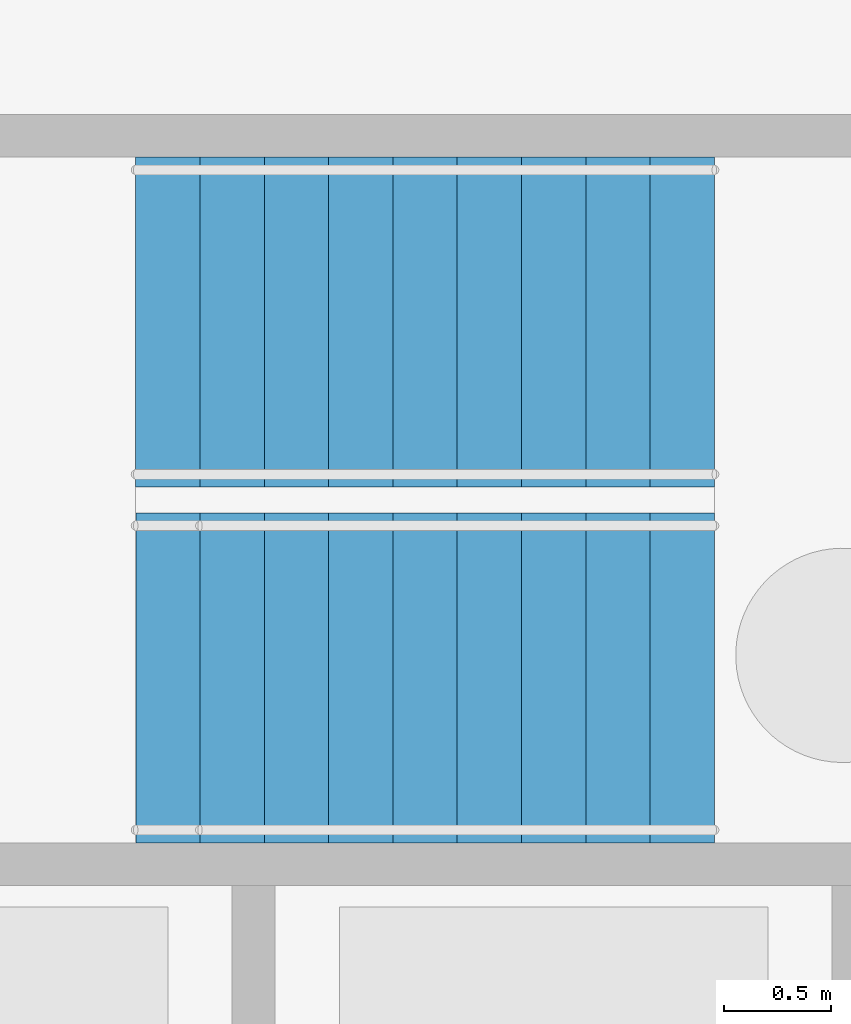
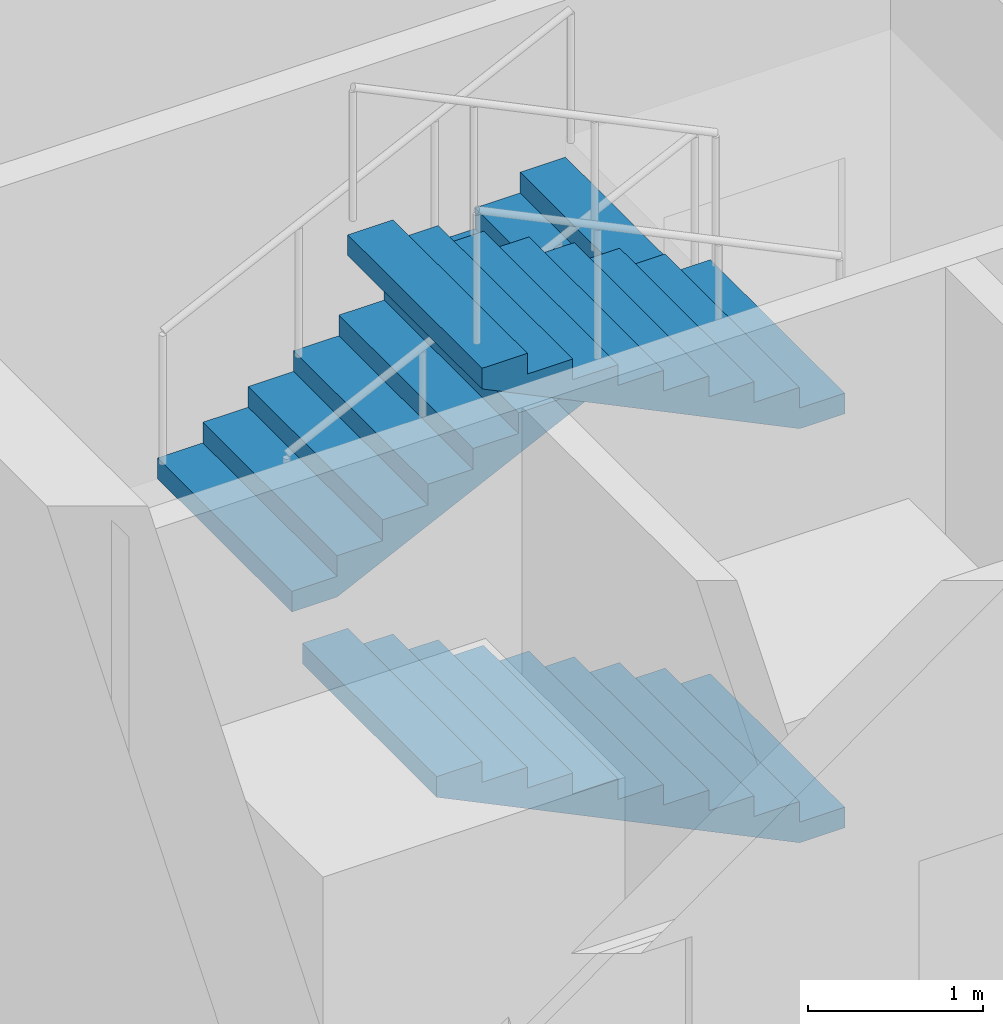
# One storey, part 20 of 29: 3 stair flights, 1 element without a shape of its own.
"""IFC4 building model written with IfcOpenShell, lengths in metres."""

from ifc_helpers import new_model, si_unit, direction, frame, origin, place, context, subcontext, project, spatial, polyline, outline, extrude, material, type_object, element, aggregate, save


model = new_model("IFC4")

# Units and contexts
model_context = context("Model", 3, precision=1e-05, world=origin(), true_north=direction((0.0, 1.0)))
body_context = subcontext(model_context, "Body", "Model", "MODEL_VIEW")
ifc_project = project(units=[si_unit("LENGTHUNIT", "METRE"), si_unit("AREAUNIT", "SQUARE_METRE"), si_unit("VOLUMEUNIT", "CUBIC_METRE"), si_unit("PLANEANGLEUNIT", "RADIAN"), si_unit("MASSUNIT", "GRAM", prefix="KILO")], contexts=[model_context])

# Site, building, storey
site_placement = place(None, origin())
site = spatial("IfcSite", under=ifc_project, at=site_placement, CompositionType="ELEMENT")
building_placement = place(site_placement, origin())
building = spatial("IfcBuilding", under=site, at=building_placement, Name="Aravalli Gate Trade Fair Centre", CompositionType="ELEMENT")
storey_placement = place(building_placement, frame((0.0, 0.0, -8.39990234375)))
storey = spatial("IfcBuildingStorey", under=building, at=storey_placement, Name="B2", CompositionType="ELEMENT", Elevation=-8.39990234375)

# Stair, stair flights
ifc_material = material(Name="Concrete M30", Category="concrete")
stair_type = type_object("IfcStairType", Name="Wing core stair", PredefinedType="HALF_TURN_STAIR", material=ifc_material)
stair_placement = place(storey_placement, origin())
stair = element("IfcStair", 1, at=stair_placement, inside=storey, type_object=stair_type, Name="Stair FFS B2", PredefinedType="HALF_TURN_STAIR")
stair_flight_type = type_object("IfcStairFlightType", Name="Wing core stair flight", PredefinedType="STRAIGHT", material=ifc_material)
stair_flight_1_placement = place(storey_placement, frame((177.35009765625, 116.469970703125, 0.0), z_axis=(0.0, 0.0, 1.0), x_axis=(-1.0, 0.0, 0.0)))
stair_flight_1 = element("IfcStairFlight", 2, at=stair_flight_1_placement, type_object=stair_flight_type, Name="TST1 flight 1", NumberOfRisers=10, NumberOfTreads=9, PredefinedType="STRAIGHT", RiserHeight=0.144827586, TreadLength=0.3, context=body_context, shape_type="SweptSolid", body=[
    extrude(outline(polyline([(0.0, 0.0), (0.0, 0.144775390625), (0.300048828125, 0.144775390625), (0.300048828125, 0.28955078125), (0.60009765625, 0.28955078125), (0.60009765625, 0.4345703125), (0.89990234375, 0.4345703125), (0.89990234375, 0.579345703125), (1.199951171875, 0.579345703125), (1.199951171875, 0.72412109375), (1.5, 0.72412109375), (1.5, 0.868896484375), (1.800048828125, 0.868896484375), (1.800048828125, 1.013671875), (2.10009765625, 1.013671875), (2.10009765625, 1.15869140625), (2.39990234375, 1.15869140625), (2.39990234375, 1.303466796875), (2.699951171875, 1.303466796875), (2.699951171875, 1.4482421875), (2.699951171875, 1.1591796875), (0.298828125, 0.0), (0.0, 0.0)])), frame((0.0, 0.77001953125, 0.0), z_axis=(0.0, -1.0, 0.0), x_axis=(1.0, 0.0, 0.0)), (0.0, 0.0, 1.0), 1.5400390625),
])
stair_flight_2_placement = place(storey_placement, frame((174.64990234375, 118.1298828125, 1.4482421875), z_axis=(0.0, 0.0, 1.0), x_axis=(1.0, 0.0, 0.0)))
stair_flight_2 = element("IfcStairFlight", 3, at=stair_flight_2_placement, type_object=stair_flight_type, Name="TST1 flight 2", NumberOfRisers=10, NumberOfTreads=9, PredefinedType="STRAIGHT", RiserHeight=0.144827586, TreadLength=0.3, context=body_context, shape_type="SweptSolid", body=[
    extrude(outline(polyline([(0.0, 0.0), (0.0, 0.144775390625), (0.300048828125, 0.144775390625), (0.300048828125, 0.28955078125), (0.60009765625, 0.28955078125), (0.60009765625, 0.4345703125), (0.89990234375, 0.4345703125), (0.89990234375, 0.579345703125), (1.199951171875, 0.579345703125), (1.199951171875, 0.72412109375), (1.5, 0.72412109375), (1.5, 0.868896484375), (1.800048828125, 0.868896484375), (1.800048828125, 1.013671875), (2.10009765625, 1.013671875), (2.10009765625, 1.15869140625), (2.39990234375, 1.15869140625), (2.39990234375, 1.303466796875), (2.699951171875, 1.303466796875), (2.699951171875, 1.4482421875), (2.699951171875, 1.1591796875), (0.298828125, 0.0), (0.0, 0.0)])), frame((0.0, 0.77001953125, 0.0), z_axis=(0.0, -1.0, 0.0), x_axis=(1.0, 0.0, 0.0)), (0.0, 0.0, 1.0), 1.5400390625),
])
stair_flight_3_placement = place(storey_placement, frame((177.35009765625, 116.469970703125, 2.896484375), z_axis=(0.0, 0.0, 1.0), x_axis=(-1.0, 0.0, 0.0)))
stair_flight_3 = element("IfcStairFlight", 4, at=stair_flight_3_placement, type_object=stair_flight_type, Name="TST1 flight 3", NumberOfRisers=9, NumberOfTreads=8, PredefinedType="STRAIGHT", RiserHeight=0.144827586, TreadLength=0.3, context=body_context, shape_type="SweptSolid", body=[
    extrude(outline(polyline([(0.0, 0.0), (0.0, 0.144775390625), (0.300048828125, 0.144775390625), (0.300048828125, 0.28955078125), (0.60009765625, 0.28955078125), (0.60009765625, 0.4345703125), (0.89990234375, 0.4345703125), (0.89990234375, 0.579345703125), (1.199951171875, 0.579345703125), (1.199951171875, 0.72412109375), (1.5, 0.72412109375), (1.5, 0.868896484375), (1.800048828125, 0.868896484375), (1.800048828125, 1.013671875), (2.10009765625, 1.013671875), (2.10009765625, 1.15869140625), (2.39990234375, 1.15869140625), (2.39990234375, 1.303466796875), (2.39990234375, 1.014404296875), (0.298828125, 0.0), (0.0, 0.0)])), frame((0.0, 0.77001953125, 0.0), z_axis=(0.0, -1.0, 0.0), x_axis=(1.0, 0.0, 0.0)), (0.0, 0.0, 1.0), 1.5400390625),
])
aggregate(stair, [stair_flight_1, stair_flight_2, stair_flight_3])

save(model, "model.ifc")
